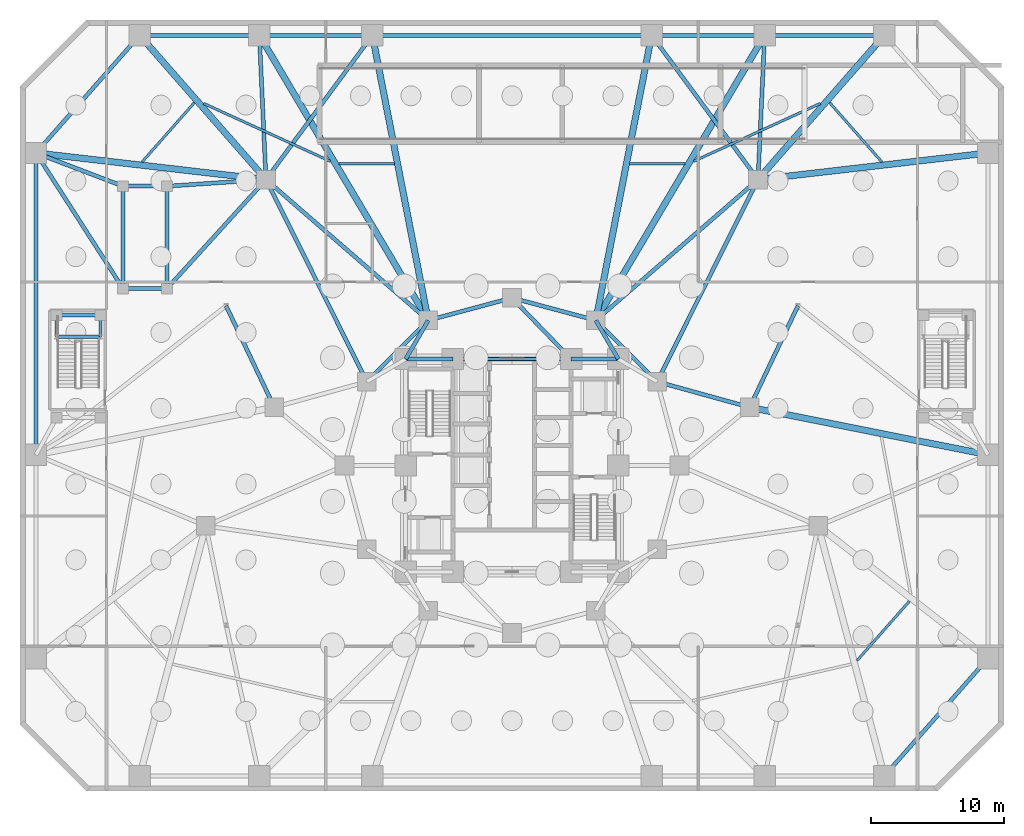
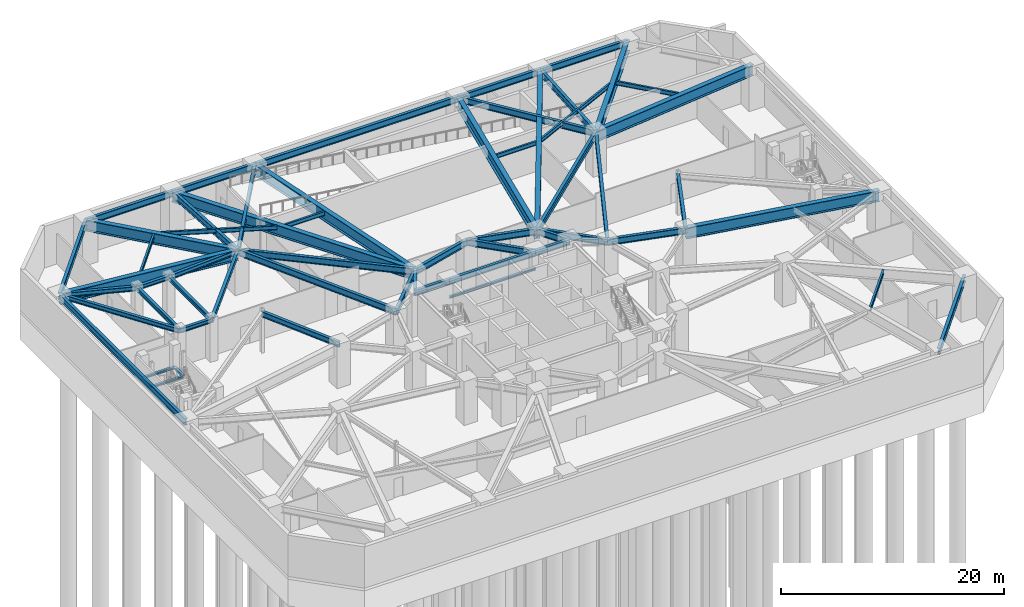
# One storey, part 10 of 20: 58 beams.
"""IFC4 building model written with IfcOpenShell, lengths in metres."""

import ifcopenshell
import ifcopenshell.guid

model = None  # the IFC model being written
_history = None  # IfcOwnerHistory: only IFC2X3 demands one
_inside = {}  # id of a spatial element -> (the spatial element, [elements in it])
_under = {}  # id of a project, library or spatial element -> (it, [spatial elements below it])
_declared = {}  # id of a project -> (the project, [libraries it declares])
_typed = {}  # id of a type object -> (the type object, [elements of that type])
_made_of = {}  # id of a material, layer set ... -> (it, [elements and type objects made of it])


def new_model(schema):
    """Start an empty IFC model of exactly this schema.

    Asked for "IFC4X3", IfcOpenShell would pick the latest addendum, in which some entities
    have other attributes; the version numbers below select the first issue.
    IFC2X3 requires an IfcOwnerHistory on every rooted entity: one is made here for all.
    """
    global model, _history
    if schema == "IFC4X3":
        model = ifcopenshell.file(schema_version=(4, 3, 0, 0))
    else:
        model = ifcopenshell.file(schema=schema)
    _inside.clear()
    _under.clear()
    _declared.clear()
    _typed.clear()
    _made_of.clear()
    _history = None
    if model.schema == "IFC2X3":
        org = make("IfcOrganization", Name="unknown")
        user = make(
            "IfcPersonAndOrganization",
            ThePerson=make("IfcPerson", FamilyName="unknown"),
            TheOrganization=org,
        )
        app = make(
            "IfcApplication",
            ApplicationDeveloper=org,
            Version="unknown",
            ApplicationFullName="unknown",
            ApplicationIdentifier="unknown",
        )
        _history = make(
            "IfcOwnerHistory",
            OwningUser=user,
            OwningApplication=app,
            ChangeAction="ADDED",
            CreationDate=0,
        )
    return model


def make(cls, **values):
    """One entity of the class cls with the attributes given. An attribute that is None is left unset."""
    return model.create_entity(
        cls, **{name: value for name, value in values.items() if value is not None}
    )


def rooted(cls, **values):
    """An entity with a GlobalId (a new one), such as an element, a storey or a relation."""
    return make(cls, GlobalId=ifcopenshell.guid.new(), OwnerHistory=_history, **values)


def si_unit(unit_type, name, prefix=None):
    """IfcSIUnit, for example si_unit("LENGTHUNIT", "METRE", prefix="MILLI")."""
    return make("IfcSIUnit", UnitType=unit_type, Prefix=prefix, Name=name)


def assignment(units):
    """IfcUnitAssignment: the units of a project."""
    return None if units is None else make("IfcUnitAssignment", Units=units)


def point(xyz):
    """IfcCartesianPoint."""
    return None if xyz is None else make("IfcCartesianPoint", Coordinates=xyz)


def direction(xyz):
    """IfcDirection."""
    return None if xyz is None else make("IfcDirection", DirectionRatios=xyz)


def frame(location, z_axis=None, x_axis=None):
    """IfcAxis2Placement3D, a coordinate frame: its origin and axes. An axis left out is left unset."""
    return make(
        "IfcAxis2Placement3D",
        Location=point(location),
        Axis=direction(z_axis),
        RefDirection=direction(x_axis),
    )


def frame_2d(location, x_axis=None):
    """IfcAxis2Placement2D, a coordinate frame in the plane: its origin and x axis."""
    return make(
        "IfcAxis2Placement2D", Location=point(location), RefDirection=direction(x_axis)
    )


def origin():
    """The frame at (0, 0, 0) with its axes left unset."""
    return frame((0.0, 0.0, 0.0))


def origin_2d():
    """The frame at (0, 0) in the plane with its x axis left unset."""
    return frame_2d((0.0, 0.0))


def place(relative_to, where):
    """IfcLocalPlacement: puts the frame where relative to a parent placement (None: the world)."""
    return make(
        "IfcLocalPlacement", PlacementRelTo=relative_to, RelativePlacement=where
    )


def context(
    kind, dimensions, precision=None, world=None, true_north=None, identifier=None
):
    """IfcGeometricRepresentationContext, for example the 3D "Model" context."""
    return make(
        "IfcGeometricRepresentationContext",
        ContextIdentifier=identifier,
        ContextType=kind,
        CoordinateSpaceDimension=dimensions,
        Precision=precision,
        WorldCoordinateSystem=world,
        TrueNorth=true_north,
    )


def subcontext(parent, identifier, kind, view, scale=None):
    """IfcGeometricRepresentationSubContext, for example "Body" below "Model"."""
    return make(
        "IfcGeometricRepresentationSubContext",
        ContextIdentifier=identifier,
        ContextType=kind,
        ParentContext=parent,
        TargetScale=scale,
        TargetView=view,
    )


def project(units=None, contexts=None):
    """IfcProject with its units and contexts."""
    return rooted(
        "IfcProject",
        Name="project",
        RepresentationContexts=contexts,
        UnitsInContext=assignment(units),
    )


def spatial(cls, under=None, at=None, **own):
    """A site, building, storey or space (cls), placed at a placement, below another one or the project."""
    s = rooted(cls, ObjectPlacement=at, **own)
    if under is not None:
        _under.setdefault(under.id(), (under, []))[1].append(s)
    return s


def profile(cls, at=None, kind="AREA", **sizes):
    """A parametric profile (cls). Its sizes go by their IFC names, for example OverallWidth=200.0."""
    return make(cls, ProfileType=kind, Position=at, **sizes)


def i_section(**sizes):
    """IfcIShapeProfileDef."""
    return profile("IfcIShapeProfileDef", **sizes)


def extrude(swept, where, along, depth):
    """IfcExtrudedAreaSolid: the profile swept, set in the frame where, extruded along a direction by depth."""
    return make(
        "IfcExtrudedAreaSolid",
        SweptArea=swept,
        Position=where,
        ExtrudedDirection=direction(along),
        Depth=depth,
    )


def shape(context_of_items, identifier, shape_type, items):
    """IfcShapeRepresentation: the items that make up one representation, for example the "Body"."""
    return make(
        "IfcShapeRepresentation",
        ContextOfItems=context_of_items,
        RepresentationIdentifier=identifier,
        RepresentationType=shape_type,
        Items=items,
    )


def material(Name=None, Category=None):
    """IfcMaterial."""
    return make("IfcMaterial", Name=Name, Category=Category)


def material_profile(
    of_material, cross_section, Name=None, Category=None, Priority=None
):
    """IfcMaterialProfile: a cross section and its material."""
    return make(
        "IfcMaterialProfile",
        Name=Name,
        Material=of_material,
        Profile=cross_section,
        Priority=Priority,
        Category=Category,
    )


def profile_set(profiles, Name=None, composite=None):
    """IfcMaterialProfileSet."""
    return make(
        "IfcMaterialProfileSet",
        Name=Name,
        MaterialProfiles=profiles,
        CompositeProfile=composite,
    )


def made_of(thing, what):
    """Note that an element or type object is made of a material, layer set ...; save() writes the relation."""
    if what is not None:
        _made_of.setdefault(what.id(), (what, []))[1].append(thing)
    return thing


def type_object(cls, material=None, **own):
    """A type object (cls), such as IfcWallType, which elements share."""
    return made_of(rooted(cls, **own), material)


def element(
    cls,
    number,
    at=None,
    inside=None,
    cuts=None,
    type_object=None,
    material=None,
    context=None,
    identifier="Body",
    shape_type=None,
    held_by="IfcProductDefinitionShape",
    body=None,
    shapes=None,
    **own,
):
    """One element of the class cls, such as IfcWall. Its Tag is "e" and its number.

    at: its placement. inside: the storey or other place that contains it. cuts: it is an
    opening in that element (IfcRelVoidsElement). A single representation is given by context,
    identifier, shape_type and body (its items); several are given by shapes. held_by: the class
    of the entity that holds the representations. save() writes the other relations.
    """
    e = rooted(cls, Tag="e%d" % number, ObjectPlacement=at, **own)
    if body is not None:
        shapes = [shape(context, identifier, shape_type, body)]
    if shapes is not None:
        e.Representation = make(held_by, Representations=shapes)
    if inside is not None:
        _inside.setdefault(inside.id(), (inside, []))[1].append(e)
    if cuts is not None:
        rooted(
            "IfcRelVoidsElement", RelatingBuildingElement=cuts, RelatedOpeningElement=e
        )
    if type_object is not None:
        _typed.setdefault(type_object.id(), (type_object, []))[1].append(e)
    return made_of(e, material)


def aggregate(whole, parts):
    """IfcRelAggregates: a whole, such as a stair, and the parts it consists of."""
    return rooted("IfcRelAggregates", RelatingObject=whole, RelatedObjects=parts)


def save(model, path):
    """Write the relations noted so far, then the file.

    IfcRelAggregates (storeys below a building ...), IfcRelContainedInSpatialStructure (elements
    in a storey), IfcRelDefinesByType, IfcRelAssociatesMaterial and IfcRelDeclares: one each for
    every whole, place, type object, material and project.
    """
    for whole, parts in _under.values():
        aggregate(whole, parts)
    for where, things in _inside.values():
        rooted(
            "IfcRelContainedInSpatialStructure",
            RelatedElements=things,
            RelatingStructure=where,
        )
    for kind, things in _typed.values():
        rooted("IfcRelDefinesByType", RelatedObjects=things, RelatingType=kind)
    for what, things in _made_of.values():
        rooted("IfcRelAssociatesMaterial", RelatedObjects=things, RelatingMaterial=what)
    for by, libraries in _declared.values():
        rooted("IfcRelDeclares", RelatingContext=by, RelatedDefinitions=libraries)
    model.write(path)


model = new_model("IFC4")

# Units and contexts
model_context = context("Model", 3, precision=1e-05, world=origin(), true_north=direction((0.0, 1.0)))
body_context = subcontext(model_context, "Body", "Model", "MODEL_VIEW")
ifc_project = project(units=[si_unit("LENGTHUNIT", "METRE"), si_unit("AREAUNIT", "SQUARE_METRE"), si_unit("VOLUMEUNIT", "CUBIC_METRE"), si_unit("PLANEANGLEUNIT", "RADIAN"), si_unit("MASSUNIT", "GRAM", prefix="KILO")], contexts=[model_context])

# Site, building, storey
site_placement = place(None, origin())
site = spatial("IfcSite", under=ifc_project, at=site_placement, CompositionType="ELEMENT")
building_placement = place(site_placement, origin())
building = spatial("IfcBuilding", under=site, at=building_placement, Name="Terralouvre Media Tower", CompositionType="ELEMENT")
storey_placement = place(building_placement, frame((0.0, 0.0, -9.60009765625)))
storey = spatial("IfcBuildingStorey", under=building, at=storey_placement, Name="B02", CompositionType="ELEMENT", Elevation=-9.60009765625)

# Beams
ifc_material_1 = material(Name="Structural steel S355J2", Category="steel")
ifc_material_profile_1 = material_profile(ifc_material_1, i_section(OverallWidth=0.18994140625, OverallDepth=0.449951171875, WebThickness=0.009521484375, FlangeThickness=0.0146484375, at=origin_2d()), Name="IPE 450")
ifc_profile_set_1 = profile_set([ifc_material_profile_1], Name="Structural steel S355J2")
beam_type_1 = type_object("IfcBeamType", Name="Composite Floor Joist J-IPE450 (IPE 450)", PredefinedType="JOIST", material=ifc_profile_set_1)
beam_1_placement = place(storey_placement, frame((25.950927734375, -14.67333984375, 4.295166015625), z_axis=(0.66119903181, 0.750210530674, 0.0), x_axis=(-0.750210530674, 0.66119903181, 0.0)))
element("IfcBeam", 1, at=beam_1_placement, inside=storey, type_object=beam_type_1, Name="B02 Framing Beam JT-B02-07", PredefinedType="JOIST", context=body_context, shape_type="SweptSolid", body=[
    extrude(i_section(OverallWidth=0.18994140625, OverallDepth=0.449951171875, WebThickness=0.009521484375, FlangeThickness=0.0146484375, at=origin_2d()), origin(), (0.0, 0.0, 1.0), 5.962890625),
])
beam_2_placement = place(storey_placement, frame((27.822998046875, 22.81787109375, 4.295166015625), z_axis=(-0.661201375572, 0.750208464989, 0.0), x_axis=(-0.750208464989, -0.661201375572, 0.0)))
element("IfcBeam", 2, at=beam_2_placement, inside=storey, type_object=beam_type_1, Name="B02 Framing Beam JT-B02-10", PredefinedType="JOIST", context=body_context, shape_type="SweptSolid", body=[
    extrude(i_section(OverallWidth=0.18994140625, OverallDepth=0.449951171875, WebThickness=0.009521484375, FlangeThickness=0.0146484375, at=origin_2d()), origin(), (0.0, 0.0, 1.0), 5.957763671875),
])
beam_3_placement = place(storey_placement, frame((23.195556640625, 27.225830078125, 4.295166015625), z_axis=(-0.909734891852, -0.415189627215, 0.0), x_axis=(0.415189627215, -0.909734891852, 0.0)))
element("IfcBeam", 3, at=beam_3_placement, inside=storey, type_object=beam_type_1, Name="B02 Framing Beam JT-B02-11", PredefinedType="JOIST", context=body_context, shape_type="SweptSolid", body=[
    extrude(i_section(OverallWidth=0.18994140625, OverallDepth=0.449951171875, WebThickness=0.009521484375, FlangeThickness=0.0146484375, at=origin_2d()), origin(), (0.0, 0.0, 1.0), 10.4755859375),
])
for number, where, z_axis, x_axis, name in (
    (4, (13.008056640625, 22.702880859375, 4.295166015625), (-1.0, 0.0, 0.0), (0.0, -1.0, 0.0), "B02 Framing Beam JT-B02-12"),
    (5, (-8.8525390625, 22.702880859375, 4.295166015625), (-1.0, 0.0, 0.0), (0.0, -1.0, 0.0), "B02 Framing Beam JT-B02-14"),
):
    element("IfcBeam", number, at=place(storey_placement, frame(where, z_axis=z_axis, x_axis=x_axis)), inside=storey, type_object=beam_type_1, Name=name, PredefinedType="JOIST", context=body_context, shape_type="SweptSolid", body=[
        extrude(i_section(OverallWidth=0.18994140625, OverallDepth=0.449951171875, WebThickness=0.009521484375, FlangeThickness=0.0146484375, at=origin_2d()), origin(), (0.0, 0.0, 1.0), 4.155517578125),
    ])
beam_4_placement = place(storey_placement, frame((-13.66552734375, 22.87646484375, 4.295166015625), z_axis=(-0.909734891852, 0.415189627215, 0.0), x_axis=(-0.415189627215, -0.909734891852, 0.0)))
element("IfcBeam", 6, at=beam_4_placement, inside=storey, type_object=beam_type_1, Name="B02 Framing Beam JT-B02-15", PredefinedType="JOIST", context=body_context, shape_type="SweptSolid", body=[
    extrude(i_section(OverallWidth=0.18994140625, OverallDepth=0.449951171875, WebThickness=0.009521484375, FlangeThickness=0.0146484375, at=origin_2d()), origin(), (0.0, 0.0, 1.0), 10.4755859375),
])
beam_5_placement = place(storey_placement, frame((-23.8837890625, 27.287353515625, 4.295166015625), z_axis=(-0.661201375572, -0.750208464989, 0.0), x_axis=(0.750208464989, -0.661201375572, 0.0)))
element("IfcBeam", 7, at=beam_5_placement, inside=storey, type_object=beam_type_1, Name="B02 Framing Beam JT-B02-16", PredefinedType="JOIST", context=body_context, shape_type="SweptSolid", body=[
    extrude(i_section(OverallWidth=0.18994140625, OverallDepth=0.449951171875, WebThickness=0.009521484375, FlangeThickness=0.0146484375, at=origin_2d()), origin(), (0.0, 0.0, 1.0), 5.957763671875),
])
ifc_material_2 = material(Name="Structural steel S355J2", Category="steel")
ifc_material_profile_2 = material_profile(ifc_material_2, i_section(OverallWidth=0.239990234375, OverallDepth=0.239990234375, WebThickness=0.010009765625, FlangeThickness=0.01708984375, at=origin_2d()), Name="HEB 240")
ifc_profile_set_2 = profile_set([ifc_material_profile_2], Name="Structural steel S355J2")
beam_type_2 = type_object("IfcBeamType", Name="Opening Lintel Beam LN-240H (HEB 240)", PredefinedType="LINTEL", material=ifc_profile_set_2)
for number, where, z_axis, x_axis, name in (
    (8, (-34.25, 9.679931640625, 2.080078125), (0.0, 1.0, 0.0), (-1.0, 0.0, 0.0), "B02 ST-03 Intermediate Landing Support Beam 1W"),
    (9, (-30.949951171875, 9.679931640625, 2.080078125), (0.0, 1.0, 0.0), (-1.0, 0.0, 0.0), "B02 ST-03 Intermediate Landing Support Beam 1E"),
):
    element("IfcBeam", number, at=place(storey_placement, frame(where, z_axis=z_axis, x_axis=x_axis)), inside=storey, type_object=beam_type_2, Name=name, PredefinedType="LINTEL", context=body_context, shape_type="SweptSolid", body=[
        extrude(i_section(OverallWidth=0.239990234375, OverallDepth=0.239990234375, WebThickness=0.010009765625, FlangeThickness=0.01708984375, at=origin_2d()), origin(), (0.0, 0.0, 1.0), 1.6201171875),
    ])
for number, where, z_axis, x_axis, name in (
    (10, (-34.25, 9.679931640625, 2.080078125), (1.0, 0.0, 0.0), (0.0, 1.0, 0.0), "B02 ST-03 Intermediate Landing Support Beam 1S"),
    (11, (-34.25, 11.300048828125, 2.080078125), (1.0, 0.0, 0.0), (0.0, 1.0, 0.0), "B02 ST-03 Intermediate Landing Support Beam 1X"),
):
    element("IfcBeam", number, at=place(storey_placement, frame(where, z_axis=z_axis, x_axis=x_axis)), inside=storey, type_object=beam_type_2, Name=name, PredefinedType="LINTEL", context=body_context, shape_type="SweptSolid", body=[
        extrude(i_section(OverallWidth=0.239990234375, OverallDepth=0.239990234375, WebThickness=0.010009765625, FlangeThickness=0.01708984375, at=origin_2d()), origin(), (0.0, 0.0, 1.0), 3.300048828125),
    ])
beam_6_placement = place(storey_placement, frame((-4.449951171875, 8.0, 2.47021484375), z_axis=(1.0, 0.0, 0.0), x_axis=(0.0, 1.0, 0.0)))
element("IfcBeam", 12, at=beam_6_placement, inside=storey, type_object=beam_type_2, Name="B02 Core North Portal Lintel LN-01", PredefinedType="LINTEL", context=body_context, shape_type="SweptSolid", body=[
    extrude(i_section(OverallWidth=0.239990234375, OverallDepth=0.239990234375, WebThickness=0.010009765625, FlangeThickness=0.01708984375, at=origin_2d()), origin(), (0.0, 0.0, 1.0), 8.89990234375),
])
ifc_material_3 = material(Name="Structural steel S355J2", Category="steel")
ifc_material_profile_3 = material_profile(ifc_material_3, i_section(OverallWidth=0.300048828125, OverallDepth=0.449951171875, WebThickness=0.013916015625, FlangeThickness=0.02587890625, at=origin_2d()), Name="HEB 450")
ifc_profile_set_3 = profile_set([ifc_material_profile_3], Name="Structural steel S355J2")
beam_type_3 = type_object("IfcBeamType", Name="Primary Floor Girder B-HEB450 (HEB 450)", PredefinedType="BEAM", material=ifc_profile_set_3)
beam_7_placement = place(storey_placement, frame((-29.25, 13.300048828125, 4.295166015625), z_axis=(1.0, 0.0, 0.0), x_axis=(0.0, 1.0, 0.0)))
element("IfcBeam", 13, at=beam_7_placement, inside=storey, type_object=beam_type_3, Name="B02 Framing Beam BM-B02-PVST61", PredefinedType="BEAM", context=body_context, shape_type="SweptSolid", body=[
    extrude(i_section(OverallWidth=0.300048828125, OverallDepth=0.449951171875, WebThickness=0.013916015625, FlangeThickness=0.02587890625, at=origin_2d()), origin(), (0.0, 0.0, 1.0), 3.300048828125),
])
beam_8_placement = place(storey_placement, frame((-25.949951171875, 13.300048828125, 4.295166015625), z_axis=(0.0, 1.0, 0.0), x_axis=(-1.0, 0.0, 0.0)))
element("IfcBeam", 14, at=beam_8_placement, inside=storey, type_object=beam_type_3, Name="B02 Framing Beam BM-B02-PVST62", PredefinedType="BEAM", context=body_context, shape_type="SweptSolid", body=[
    extrude(i_section(OverallWidth=0.300048828125, OverallDepth=0.449951171875, WebThickness=0.013916015625, FlangeThickness=0.02587890625, at=origin_2d()), origin(), (0.0, 0.0, 1.0), 7.699951171875),
])
beam_9_placement = place(storey_placement, frame((-25.949951171875, 21.0, 4.295166015625), z_axis=(-1.0, 0.0, 0.0), x_axis=(0.0, -1.0, 0.0)))
element("IfcBeam", 15, at=beam_9_placement, inside=storey, type_object=beam_type_3, Name="B02 Framing Beam BM-B02-PVST63", PredefinedType="BEAM", context=body_context, shape_type="SweptSolid", body=[
    extrude(i_section(OverallWidth=0.300048828125, OverallDepth=0.449951171875, WebThickness=0.013916015625, FlangeThickness=0.02587890625, at=origin_2d()), origin(), (0.0, 0.0, 1.0), 3.300048828125),
])
beam_10_placement = place(storey_placement, frame((-29.25, 21.0, 4.295166015625), z_axis=(0.0, -1.0, 0.0), x_axis=(1.0, 0.0, 0.0)))
element("IfcBeam", 16, at=beam_10_placement, inside=storey, type_object=beam_type_3, Name="B02 Framing Beam BM-B02-PVST64", PredefinedType="BEAM", context=body_context, shape_type="SweptSolid", body=[
    extrude(i_section(OverallWidth=0.300048828125, OverallDepth=0.449951171875, WebThickness=0.013916015625, FlangeThickness=0.02587890625, at=origin_2d()), origin(), (0.0, 0.0, 1.0), 7.699951171875),
])
ifc_material_4 = material(Name="Structural steel S355J2", Category="steel")
ifc_material_profile_4 = material_profile(ifc_material_4, i_section(OverallWidth=0.300048828125, OverallDepth=0.5, WebThickness=0.014404296875, FlangeThickness=0.028076171875, at=origin_2d()), Name="HEB 500")
ifc_profile_set_4 = profile_set([ifc_material_profile_4], Name="Structural steel S355J2")
beam_type_4 = type_object("IfcBeamType", Name="Primary Floor Girder B-HEB500 (HEB 500)", PredefinedType="BEAM", material=ifc_profile_set_4)
beam_11_placement = place(storey_placement, frame((-29.25, 13.300048828125, 4.27001953125), z_axis=(-0.540345267359, 0.841443398003, 0.0), x_axis=(-0.841443398003, -0.540345267359, 0.0)))
element("IfcBeam", 17, at=beam_11_placement, inside=storey, type_object=beam_type_4, Name="B02 Framing Beam BM-B02-PVTST61", PredefinedType="BEAM", context=body_context, shape_type="SweptSolid", body=[
    extrude(i_section(OverallWidth=0.300048828125, OverallDepth=0.5, WebThickness=0.014404296875, FlangeThickness=0.028076171875, at=origin_2d()), origin(), (0.0, 0.0, 1.0), 12.1220703125),
])
beam_12_placement = place(storey_placement, frame((-25.949951171875, 13.300048828125, 4.27001953125), z_axis=(0.672447909493, 0.740144451454, 0.0), x_axis=(-0.740144451454, 0.672447909493, 0.0)))
element("IfcBeam", 18, at=beam_12_placement, inside=storey, type_object=beam_type_4, Name="B02 Framing Beam BM-B02-PVTST62", PredefinedType="BEAM", context=body_context, shape_type="SweptSolid", body=[
    extrude(i_section(OverallWidth=0.300048828125, OverallDepth=0.5, WebThickness=0.014404296875, FlangeThickness=0.028076171875, at=origin_2d()), origin(), (0.0, 0.0, 1.0), 11.078857421875),
])
beam_13_placement = place(storey_placement, frame((-25.949951171875, 21.0, 4.27001953125), z_axis=(0.997755399701, 0.066963888533, 0.0), x_axis=(-0.066963888533, 0.997755399701, 0.0)))
element("IfcBeam", 19, at=beam_13_placement, inside=storey, type_object=beam_type_4, Name="B02 Framing Beam BM-B02-PVTST63", PredefinedType="BEAM", context=body_context, shape_type="SweptSolid", body=[
    extrude(i_section(OverallWidth=0.300048828125, OverallDepth=0.5, WebThickness=0.014404296875, FlangeThickness=0.028076171875, at=origin_2d()), origin(), (0.0, 0.0, 1.0), 7.466796875),
])
beam_14_placement = place(storey_placement, frame((-29.25, 21.0, 4.27001953125), z_axis=(-0.934262475269, 0.356586072785, 0.0), x_axis=(-0.356586072785, -0.934262475269, 0.0)))
element("IfcBeam", 20, at=beam_14_placement, inside=storey, type_object=beam_type_4, Name="B02 Framing Beam BM-B02-PVTST64", PredefinedType="BEAM", context=body_context, shape_type="SweptSolid", body=[
    extrude(i_section(OverallWidth=0.300048828125, OverallDepth=0.5, WebThickness=0.014404296875, FlangeThickness=0.028076171875, at=origin_2d()), origin(), (0.0, 0.0, 1.0), 7.010986328125),
])
ifc_material_5 = material(Name="Structural steel S460M", Category="steel")
ifc_material_profile_5 = material_profile(ifc_material_5, i_section(OverallWidth=0.300048828125, OverallDepth=0.60009765625, WebThickness=0.015380859375, FlangeThickness=0.030029296875, at=origin_2d()), Name="HEB 600")
ifc_profile_set_5 = profile_set([ifc_material_profile_5], Name="Structural steel S460M")
beam_type_5 = type_object("IfcBeamType", Name="Primary Floor Girder B-HEB600 (HEB 600)", PredefinedType="BEAM", material=ifc_profile_set_5)
beam_15_placement = place(storey_placement, frame((8.0, 8.0, 4.22021484375), z_axis=(-1.0, 0.0, 0.0), x_axis=(0.0, -1.0, 0.0)))
element("IfcBeam", 21, at=beam_15_placement, inside=storey, type_object=beam_type_5, Name="B02 Framing Beam BM-B02-CPR06", PredefinedType="BEAM", context=body_context, shape_type="SweptSolid", body=[
    extrude(i_section(OverallWidth=0.300048828125, OverallDepth=0.60009765625, WebThickness=0.015380859375, FlangeThickness=0.030029296875, at=origin_2d()), origin(), (0.0, 0.0, 1.0), 3.550048828125),
])
beam_16_placement = place(storey_placement, frame((4.449951171875, 8.0, 4.22021484375), z_axis=(-1.0, 0.0, 0.0), x_axis=(0.0, -1.0, 0.0)))
element("IfcBeam", 22, at=beam_16_placement, inside=storey, type_object=beam_type_5, Name="B02 Framing Beam BM-B02-CPR07", PredefinedType="BEAM", context=body_context, shape_type="SweptSolid", body=[
    extrude(i_section(OverallWidth=0.300048828125, OverallDepth=0.60009765625, WebThickness=0.015380859375, FlangeThickness=0.030029296875, at=origin_2d()), origin(), (0.0, 0.0, 1.0), 8.89990234375),
])
beam_17_placement = place(storey_placement, frame((-4.449951171875, 8.0, 4.22021484375), z_axis=(-1.0, 0.0, 0.0), x_axis=(0.0, -1.0, 0.0)))
element("IfcBeam", 23, at=beam_17_placement, inside=storey, type_object=beam_type_5, Name="B02 Framing Beam BM-B02-CPR08", PredefinedType="BEAM", context=body_context, shape_type="SweptSolid", body=[
    extrude(i_section(OverallWidth=0.300048828125, OverallDepth=0.60009765625, WebThickness=0.015380859375, FlangeThickness=0.030029296875, at=origin_2d()), origin(), (0.0, 0.0, 1.0), 3.550048828125),
])
for number, where, z_axis, x_axis, name in (
    (24, (-17.874755859375, 4.373291015625, 4.22021484375), (-0.429303893562, 0.90316010041, 0.0), (-0.90316010041, -0.429303893562, 0.0), "B02 Framing Beam BM-B02-PIL3A"),
    (25, (17.874755859375, 4.373291015625, 4.22021484375), (0.429303893562, 0.90316010041, 0.0), (-0.90316010041, 0.429303893562, 0.0), "B02 Framing Beam BM-B02-PIL4A"),
):
    element("IfcBeam", number, at=place(storey_placement, frame(where, z_axis=z_axis, x_axis=x_axis)), inside=storey, type_object=beam_type_5, Name=name, PredefinedType="BEAM", context=body_context, shape_type="SweptSolid", body=[
        extrude(i_section(OverallWidth=0.300048828125, OverallDepth=0.60009765625, WebThickness=0.015380859375, FlangeThickness=0.030029296875, at=origin_2d()), origin(), (0.0, 0.0, 1.0), 8.444580078125),
    ])
ifc_material_6 = material(Name="Structural steel S460M", Category="steel")
ifc_material_profile_6 = material_profile(ifc_material_6, i_section(OverallWidth=0.300048828125, OverallDepth=0.699951171875, WebThickness=0.01708984375, FlangeThickness=0.031982421875, at=origin_2d()), Name="HEB 700")
ifc_profile_set_6 = profile_set([ifc_material_profile_6], Name="Structural steel S460M")
beam_type_6 = type_object("IfcBeamType", Name="Primary Floor Girder B-HEB700 (HEB 700)", PredefinedType="BEAM", material=ifc_profile_set_6)
beam_18_placement = place(storey_placement, frame((10.911865234375, 6.300048828125, 4.170166015625), z_axis=(-0.707106781187, 0.707106781187, 0.0), x_axis=(-0.707106781187, -0.707106781187, 0.0)))
element("IfcBeam", 26, at=beam_18_placement, inside=storey, type_object=beam_type_6, Name="B02 Framing Beam BM-B02-MR07", PredefinedType="BEAM", context=body_context, shape_type="SweptSolid", body=[
    extrude(i_section(OverallWidth=0.300048828125, OverallDepth=0.699951171875, WebThickness=0.01708984375, FlangeThickness=0.031982421875, at=origin_2d()), origin(), (0.0, 0.0, 1.0), 6.52197265625),
])
for number, where, z_axis, x_axis, name in (
    (27, (6.300048828125, 10.911865234375, 4.170166015625), (-0.965920481897, 0.258838989821, 0.0), (-0.258838989821, -0.965920481897, 0.0), "B02 Framing Beam BM-B02-MR08"),
    (28, (0.0, 12.60009765625, 4.170166015625), (-0.965920481897, -0.258838989821, 0.0), (0.258838989821, -0.965920481897, 0.0), "B02 Framing Beam BM-B02-MR09"),
):
    element("IfcBeam", number, at=place(storey_placement, frame(where, z_axis=z_axis, x_axis=x_axis)), inside=storey, type_object=beam_type_6, Name=name, PredefinedType="BEAM", context=body_context, shape_type="SweptSolid", body=[
        extrude(i_section(OverallWidth=0.300048828125, OverallDepth=0.699951171875, WebThickness=0.01708984375, FlangeThickness=0.031982421875, at=origin_2d()), origin(), (0.0, 0.0, 1.0), 6.522216796875),
    ])
beam_19_placement = place(storey_placement, frame((-6.300048828125, 10.911865234375, 4.170166015625), z_axis=(-0.707106781187, -0.707106781187, 0.0), x_axis=(0.707106781187, -0.707106781187, 0.0)))
element("IfcBeam", 29, at=beam_19_placement, inside=storey, type_object=beam_type_6, Name="B02 Framing Beam BM-B02-MR10", PredefinedType="BEAM", context=body_context, shape_type="SweptSolid", body=[
    extrude(i_section(OverallWidth=0.300048828125, OverallDepth=0.699951171875, WebThickness=0.01708984375, FlangeThickness=0.031982421875, at=origin_2d()), origin(), (0.0, 0.0, 1.0), 6.52197265625),
])
beam_20_placement = place(storey_placement, frame((8.0, 8.0, 4.170166015625), z_axis=(-0.504172629717, 0.863602894532, 0.0), x_axis=(-0.863602894532, -0.504172629717, 0.0)))
element("IfcBeam", 30, at=beam_20_placement, inside=storey, type_object=beam_type_6, Name="B02 Framing Beam BM-B02-CM08", PredefinedType="BEAM", context=body_context, shape_type="SweptSolid", body=[
    extrude(i_section(OverallWidth=0.300048828125, OverallDepth=0.699951171875, WebThickness=0.01708984375, FlangeThickness=0.031982421875, at=origin_2d()), origin(), (0.0, 0.0, 1.0), 3.371826171875),
])
beam_21_placement = place(storey_placement, frame((4.449951171875, 8.0, 4.170166015625), z_axis=(-0.695279715726, 0.718739255155, 0.0), x_axis=(-0.718739255155, -0.695279715726, 0.0)))
element("IfcBeam", 31, at=beam_21_placement, inside=storey, type_object=beam_type_6, Name="B02 Framing Beam BM-B02-CM09", PredefinedType="BEAM", context=body_context, shape_type="SweptSolid", body=[
    extrude(i_section(OverallWidth=0.300048828125, OverallDepth=0.699951171875, WebThickness=0.01708984375, FlangeThickness=0.031982421875, at=origin_2d()), origin(), (0.0, 0.0, 1.0), 6.400146484375),
])
beam_22_placement = place(storey_placement, frame((-8.0, 8.0, 4.170166015625), z_axis=(0.504172629717, 0.863602894532, 0.0), x_axis=(-0.863602894532, 0.504172629717, 0.0)))
element("IfcBeam", 32, at=beam_22_placement, inside=storey, type_object=beam_type_6, Name="B02 Framing Beam BM-B02-CM10", PredefinedType="BEAM", context=body_context, shape_type="SweptSolid", body=[
    extrude(i_section(OverallWidth=0.300048828125, OverallDepth=0.699951171875, WebThickness=0.01708984375, FlangeThickness=0.031982421875, at=origin_2d()), origin(), (0.0, 0.0, 1.0), 3.371826171875),
])
beam_23_placement = place(storey_placement, frame((-6.300048828125, 10.911865234375, 4.170166015625), z_axis=(-0.755234116228, 0.65545513171, 0.0), x_axis=(-0.65545513171, -0.755234116228, 0.0)))
element("IfcBeam", 33, at=beam_23_placement, inside=storey, type_object=beam_type_6, Name="B02 Framing Beam BM-B02-PM19M1", PredefinedType="BEAM", context=body_context, shape_type="SweptSolid", body=[
    extrude(i_section(OverallWidth=0.300048828125, OverallDepth=0.699951171875, WebThickness=0.01708984375, FlangeThickness=0.031982421875, at=origin_2d()), origin(), (0.0, 0.0, 1.0), 16.15380859375),
])
beam_24_placement = place(storey_placement, frame((-10.911865234375, 6.300048828125, 4.170166015625), z_axis=(-0.446655925193, 0.894705808906, 0.0), x_axis=(-0.894705808906, -0.446655925193, 0.0)))
element("IfcBeam", 34, at=beam_24_placement, inside=storey, type_object=beam_type_6, Name="B02 Framing Beam BM-B02-PM19M2", PredefinedType="BEAM", context=body_context, shape_type="SweptSolid", body=[
    extrude(i_section(OverallWidth=0.300048828125, OverallDepth=0.699951171875, WebThickness=0.01708984375, FlangeThickness=0.031982421875, at=origin_2d()), origin(), (0.0, 0.0, 1.0), 16.98876953125),
])
beam_25_placement = place(storey_placement, frame((-18.5, 21.5, 4.170166015625), z_axis=(-0.046033681898, 0.998939888147, 0.0), x_axis=(-0.998939888147, -0.046033681898, 0.0)))
element("IfcBeam", 35, at=beam_25_placement, inside=storey, type_object=beam_type_6, Name="B02 Framing Beam BM-B02-PM19P1", PredefinedType="BEAM", context=body_context, shape_type="SweptSolid", body=[
    extrude(i_section(OverallWidth=0.300048828125, OverallDepth=0.699951171875, WebThickness=0.01708984375, FlangeThickness=0.031982421875, at=origin_2d()), origin(), (0.0, 0.0, 1.0), 10.861572265625),
])
beam_26_placement = place(storey_placement, frame((-18.5, 21.5, 4.170166015625), z_axis=(0.593448591359, 0.804871896276, 0.0), x_axis=(-0.804871896276, 0.593448591359, 0.0)))
element("IfcBeam", 36, at=beam_26_placement, inside=storey, type_object=beam_type_6, Name="B02 Framing Beam BM-B02-PM19P2", PredefinedType="BEAM", context=body_context, shape_type="SweptSolid", body=[
    extrude(i_section(OverallWidth=0.300048828125, OverallDepth=0.699951171875, WebThickness=0.01708984375, FlangeThickness=0.031982421875, at=origin_2d()), origin(), (0.0, 0.0, 1.0), 13.48046875),
])
beam_27_placement = place(storey_placement, frame((6.300048828125, 10.911865234375, 4.170166015625), z_axis=(0.755234116228, 0.65545513171, 0.0), x_axis=(-0.65545513171, 0.755234116228, 0.0)))
element("IfcBeam", 37, at=beam_27_placement, inside=storey, type_object=beam_type_6, Name="B02 Framing Beam BM-B02-PM20M1", PredefinedType="BEAM", context=body_context, shape_type="SweptSolid", body=[
    extrude(i_section(OverallWidth=0.300048828125, OverallDepth=0.699951171875, WebThickness=0.01708984375, FlangeThickness=0.031982421875, at=origin_2d()), origin(), (0.0, 0.0, 1.0), 16.15380859375),
])
beam_28_placement = place(storey_placement, frame((10.911865234375, 6.300048828125, 4.170166015625), z_axis=(0.446655925193, 0.894705808906, 0.0), x_axis=(-0.894705808906, 0.446655925193, 0.0)))
element("IfcBeam", 38, at=beam_28_placement, inside=storey, type_object=beam_type_6, Name="B02 Framing Beam BM-B02-PM20M2", PredefinedType="BEAM", context=body_context, shape_type="SweptSolid", body=[
    extrude(i_section(OverallWidth=0.300048828125, OverallDepth=0.699951171875, WebThickness=0.01708984375, FlangeThickness=0.031982421875, at=origin_2d()), origin(), (0.0, 0.0, 1.0), 16.98876953125),
])
beam_29_placement = place(storey_placement, frame((18.5, 21.5, 4.170166015625), z_axis=(0.046033681898, 0.998939888147, 0.0), x_axis=(-0.998939888147, 0.046033681898, 0.0)))
element("IfcBeam", 39, at=beam_29_placement, inside=storey, type_object=beam_type_6, Name="B02 Framing Beam BM-B02-PM20P1", PredefinedType="BEAM", context=body_context, shape_type="SweptSolid", body=[
    extrude(i_section(OverallWidth=0.300048828125, OverallDepth=0.699951171875, WebThickness=0.01708984375, FlangeThickness=0.031982421875, at=origin_2d()), origin(), (0.0, 0.0, 1.0), 10.861572265625),
])
beam_30_placement = place(storey_placement, frame((18.5, 21.5, 4.170166015625), z_axis=(-0.593448591359, 0.804871896276, 0.0), x_axis=(-0.804871896276, -0.593448591359, 0.0)))
element("IfcBeam", 40, at=beam_30_placement, inside=storey, type_object=beam_type_6, Name="B02 Framing Beam BM-B02-PM20P2", PredefinedType="BEAM", context=body_context, shape_type="SweptSolid", body=[
    extrude(i_section(OverallWidth=0.300048828125, OverallDepth=0.699951171875, WebThickness=0.01708984375, FlangeThickness=0.031982421875, at=origin_2d()), origin(), (0.0, 0.0, 1.0), 13.48046875),
])
beam_31_placement = place(storey_placement, frame((10.911865234375, 6.300048828125, 4.170166015625), z_axis=(0.963780816717, -0.266695589254, 0.0), x_axis=(0.266695589254, 0.963780816717, 0.0)))
element("IfcBeam", 41, at=beam_31_placement, inside=storey, type_object=beam_type_6, Name="B02 Framing Beam BM-B02-PM22M2", PredefinedType="BEAM", context=body_context, shape_type="SweptSolid", body=[
    extrude(i_section(OverallWidth=0.300048828125, OverallDepth=0.699951171875, WebThickness=0.01708984375, FlangeThickness=0.031982421875, at=origin_2d()), origin(), (0.0, 0.0, 1.0), 7.224609375),
])
beam_32_placement = place(storey_placement, frame((28.0, -23.35009765625, 4.170166015625), z_axis=(0.661199207896, 0.75021037548, 0.0), x_axis=(-0.75021037548, 0.661199207896, 0.0)))
element("IfcBeam", 42, at=beam_32_placement, inside=storey, type_object=beam_type_6, Name="B02 Framing Beam BM-B02-PR07", PredefinedType="BEAM", context=body_context, shape_type="SweptSolid", body=[
    extrude(i_section(OverallWidth=0.300048828125, OverallDepth=0.699951171875, WebThickness=0.01708984375, FlangeThickness=0.031982421875, at=origin_2d()), origin(), (0.0, 0.0, 1.0), 11.796875),
])
beam_33_placement = place(storey_placement, frame((28.0, 32.35009765625, 4.170166015625), z_axis=(-1.0, 0.0, 0.0), x_axis=(0.0, -1.0, 0.0)))
element("IfcBeam", 43, at=beam_33_placement, inside=storey, type_object=beam_type_6, Name="B02 Framing Beam BM-B02-PR11", PredefinedType="BEAM", context=body_context, shape_type="SweptSolid", body=[
    extrude(i_section(OverallWidth=0.300048828125, OverallDepth=0.699951171875, WebThickness=0.01708984375, FlangeThickness=0.031982421875, at=origin_2d()), origin(), (0.0, 0.0, 1.0), 9.0),
])
beam_34_placement = place(storey_placement, frame((19.0, 32.35009765625, 4.170166015625), z_axis=(-1.0, 0.0, 0.0), x_axis=(0.0, -1.0, 0.0)))
element("IfcBeam", 44, at=beam_34_placement, inside=storey, type_object=beam_type_6, Name="B02 Framing Beam BM-B02-PR12", PredefinedType="BEAM", context=body_context, shape_type="SweptSolid", body=[
    extrude(i_section(OverallWidth=0.300048828125, OverallDepth=0.699951171875, WebThickness=0.01708984375, FlangeThickness=0.031982421875, at=origin_2d()), origin(), (0.0, 0.0, 1.0), 8.5),
])
beam_35_placement = place(storey_placement, frame((10.5, 32.35009765625, 4.170166015625), z_axis=(-1.0, 0.0, 0.0), x_axis=(0.0, -1.0, 0.0)))
element("IfcBeam", 45, at=beam_35_placement, inside=storey, type_object=beam_type_6, Name="B02 Framing Beam BM-B02-PR13", PredefinedType="BEAM", context=body_context, shape_type="SweptSolid", body=[
    extrude(i_section(OverallWidth=0.300048828125, OverallDepth=0.699951171875, WebThickness=0.01708984375, FlangeThickness=0.031982421875, at=origin_2d()), origin(), (0.0, 0.0, 1.0), 21.0),
])
beam_36_placement = place(storey_placement, frame((-10.5, 32.35009765625, 4.170166015625), z_axis=(-1.0, 0.0, 0.0), x_axis=(0.0, -1.0, 0.0)))
element("IfcBeam", 46, at=beam_36_placement, inside=storey, type_object=beam_type_6, Name="B02 Framing Beam BM-B02-PR14", PredefinedType="BEAM", context=body_context, shape_type="SweptSolid", body=[
    extrude(i_section(OverallWidth=0.300048828125, OverallDepth=0.699951171875, WebThickness=0.01708984375, FlangeThickness=0.031982421875, at=origin_2d()), origin(), (0.0, 0.0, 1.0), 8.5),
])
beam_37_placement = place(storey_placement, frame((-19.0, 32.35009765625, 4.170166015625), z_axis=(-1.0, 0.0, 0.0), x_axis=(0.0, -1.0, 0.0)))
element("IfcBeam", 47, at=beam_37_placement, inside=storey, type_object=beam_type_6, Name="B02 Framing Beam BM-B02-PR15", PredefinedType="BEAM", context=body_context, shape_type="SweptSolid", body=[
    extrude(i_section(OverallWidth=0.300048828125, OverallDepth=0.699951171875, WebThickness=0.01708984375, FlangeThickness=0.031982421875, at=origin_2d()), origin(), (0.0, 0.0, 1.0), 9.0),
])
beam_38_placement = place(storey_placement, frame((-28.0, 32.35009765625, 4.170166015625), z_axis=(-0.661199207896, -0.75021037548, 0.0), x_axis=(0.75021037548, -0.661199207896, 0.0)))
element("IfcBeam", 48, at=beam_38_placement, inside=storey, type_object=beam_type_6, Name="B02 Framing Beam BM-B02-PR16", PredefinedType="BEAM", context=body_context, shape_type="SweptSolid", body=[
    extrude(i_section(OverallWidth=0.300048828125, OverallDepth=0.699951171875, WebThickness=0.01708984375, FlangeThickness=0.031982421875, at=origin_2d()), origin(), (0.0, 0.0, 1.0), 11.796875),
])
beam_39_placement = place(storey_placement, frame((-35.800048828125, 23.5, 4.170166015625), z_axis=(0.0, -1.0, 0.0), x_axis=(1.0, 0.0, 0.0)))
element("IfcBeam", 49, at=beam_39_placement, inside=storey, type_object=beam_type_6, Name="B02 Framing Beam BM-B02-PR17", PredefinedType="BEAM", context=body_context, shape_type="SweptSolid", body=[
    extrude(i_section(OverallWidth=0.300048828125, OverallDepth=0.699951171875, WebThickness=0.01708984375, FlangeThickness=0.031982421875, at=origin_2d()), origin(), (0.0, 0.0, 1.0), 22.699951171875),
])
ifc_material_7 = material(Name="Structural steel S460M", Category="steel")
ifc_material_profile_7 = material_profile(ifc_material_7, i_section(OverallWidth=0.47998046875, OverallDepth=1.199951171875, WebThickness=0.028076171875, FlangeThickness=0.044921875, at=origin_2d()), Name="PG 1200x480")
ifc_profile_set_7 = profile_set([ifc_material_profile_7], Name="Structural steel S460M")
beam_type_7 = type_object("IfcBeamType", Name="Primary Floor Girder B-PG1200 (PG 1200x480)", PredefinedType="BEAM", material=ifc_profile_set_7)
beam_40_placement = place(storey_placement, frame((17.874755859375, 4.373291015625, 3.920166015625), z_axis=(0.980704802412, -0.19549447697, 0.0), x_axis=(0.19549447697, 0.980704802412, 0.0)))
element("IfcBeam", 50, at=beam_40_placement, inside=storey, type_object=beam_type_7, Name="B02 Framing Beam BM-B02-RD09", PredefinedType="BEAM", context=body_context, shape_type="SweptSolid", body=[
    extrude(i_section(OverallWidth=0.47998046875, OverallDepth=1.199951171875, WebThickness=0.028076171875, FlangeThickness=0.044921875, at=origin_2d()), origin(), (0.0, 0.0, 1.0), 18.278076171875),
])
beam_41_placement = place(storey_placement, frame((18.5, 21.5, 3.920166015625), z_axis=(0.993383801046, 0.114841733791, 0.0), x_axis=(-0.114841733791, 0.993383801046, 0.0)))
element("IfcBeam", 51, at=beam_41_placement, inside=storey, type_object=beam_type_7, Name="B02 Framing Beam BM-B02-RD10", PredefinedType="BEAM", context=body_context, shape_type="SweptSolid", body=[
    extrude(i_section(OverallWidth=0.47998046875, OverallDepth=1.199951171875, WebThickness=0.028076171875, FlangeThickness=0.044921875, at=origin_2d()), origin(), (0.0, 0.0, 1.0), 17.415283203125),
])
beam_42_placement = place(storey_placement, frame((18.5, 21.5, 3.920166015625), z_axis=(0.658746675471, 0.752364816799, 0.0), x_axis=(-0.752364816799, 0.658746675471, 0.0)))
element("IfcBeam", 52, at=beam_42_placement, inside=storey, type_object=beam_type_7, Name="B02 Framing Beam BM-B02-RD11", PredefinedType="BEAM", context=body_context, shape_type="SweptSolid", body=[
    extrude(i_section(OverallWidth=0.47998046875, OverallDepth=1.199951171875, WebThickness=0.028076171875, FlangeThickness=0.044921875, at=origin_2d()), origin(), (0.0, 0.0, 1.0), 14.42138671875),
])
beam_43_placement = place(storey_placement, frame((6.300048828125, 10.911865234375, 3.920166015625), z_axis=(0.509678035934, 0.860365212969, 0.0), x_axis=(-0.860365212969, 0.509678035934, 0.0)))
element("IfcBeam", 53, at=beam_43_placement, inside=storey, type_object=beam_type_7, Name="B02 Framing Beam BM-B02-RD12", PredefinedType="BEAM", context=body_context, shape_type="SweptSolid", body=[
    extrude(i_section(OverallWidth=0.47998046875, OverallDepth=1.199951171875, WebThickness=0.028076171875, FlangeThickness=0.044921875, at=origin_2d()), origin(), (0.0, 0.0, 1.0), 24.91748046875),
])
for number, where, z_axis, x_axis, name in (
    (54, (6.300048828125, 10.911865234375, 3.920166015625), (0.192254717948, 0.981345058288, 0.0), (-0.981345058288, 0.192254717948, 0.0), "B02 Framing Beam BM-B02-RD13"),
    (55, (-6.300048828125, 10.911865234375, 3.920166015625), (-0.192254717948, 0.981345058288, 0.0), (-0.981345058288, -0.192254717948, 0.0), "B02 Framing Beam BM-B02-RD14"),
):
    element("IfcBeam", number, at=place(storey_placement, frame(where, z_axis=z_axis, x_axis=x_axis)), inside=storey, type_object=beam_type_7, Name=name, PredefinedType="BEAM", context=body_context, shape_type="SweptSolid", body=[
        extrude(i_section(OverallWidth=0.47998046875, OverallDepth=1.199951171875, WebThickness=0.028076171875, FlangeThickness=0.044921875, at=origin_2d()), origin(), (0.0, 0.0, 1.0), 21.845703125),
    ])
beam_44_placement = place(storey_placement, frame((-6.300048828125, 10.911865234375, 3.920166015625), z_axis=(-0.509678035934, 0.860365212969, 0.0), x_axis=(-0.860365212969, -0.509678035934, 0.0)))
element("IfcBeam", 56, at=beam_44_placement, inside=storey, type_object=beam_type_7, Name="B02 Framing Beam BM-B02-RD15", PredefinedType="BEAM", context=body_context, shape_type="SweptSolid", body=[
    extrude(i_section(OverallWidth=0.47998046875, OverallDepth=1.199951171875, WebThickness=0.028076171875, FlangeThickness=0.044921875, at=origin_2d()), origin(), (0.0, 0.0, 1.0), 24.91748046875),
])
beam_45_placement = place(storey_placement, frame((-18.5, 21.5, 3.920166015625), z_axis=(-0.658746675471, 0.752364816799, 0.0), x_axis=(-0.752364816799, -0.658746675471, 0.0)))
element("IfcBeam", 57, at=beam_45_placement, inside=storey, type_object=beam_type_7, Name="B02 Framing Beam BM-B02-RD16", PredefinedType="BEAM", context=body_context, shape_type="SweptSolid", body=[
    extrude(i_section(OverallWidth=0.47998046875, OverallDepth=1.199951171875, WebThickness=0.028076171875, FlangeThickness=0.044921875, at=origin_2d()), origin(), (0.0, 0.0, 1.0), 14.42138671875),
])
beam_46_placement = place(storey_placement, frame((-18.5, 21.5, 3.920166015625), z_axis=(-0.993383801046, 0.114841733791, 0.0), x_axis=(-0.114841733791, -0.993383801046, 0.0)))
element("IfcBeam", 58, at=beam_46_placement, inside=storey, type_object=beam_type_7, Name="B02 Framing Beam BM-B02-RD17", PredefinedType="BEAM", context=body_context, shape_type="SweptSolid", body=[
    extrude(i_section(OverallWidth=0.47998046875, OverallDepth=1.199951171875, WebThickness=0.028076171875, FlangeThickness=0.044921875, at=origin_2d()), origin(), (0.0, 0.0, 1.0), 17.415283203125),
])

save(model, "model.ifc")
